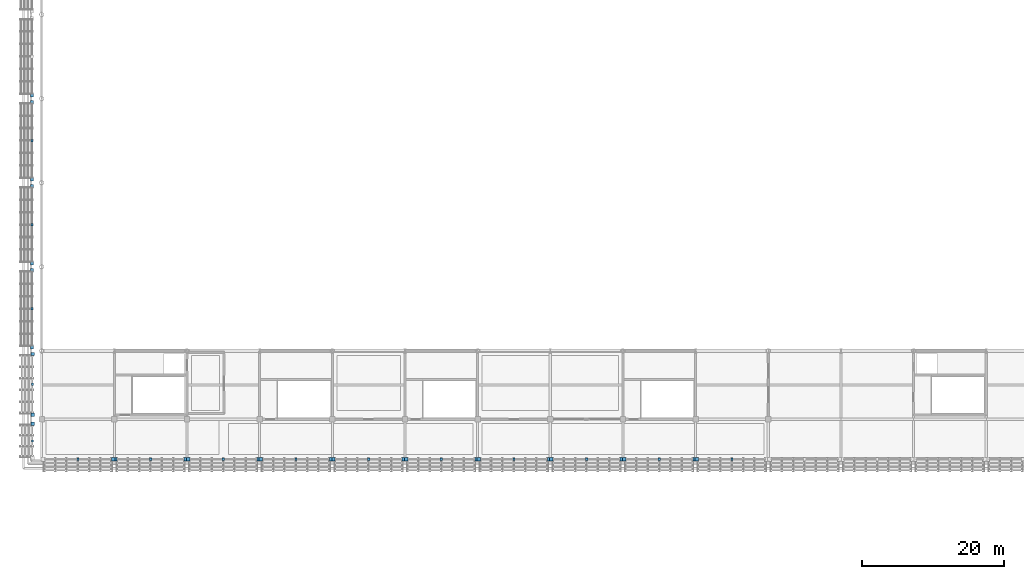
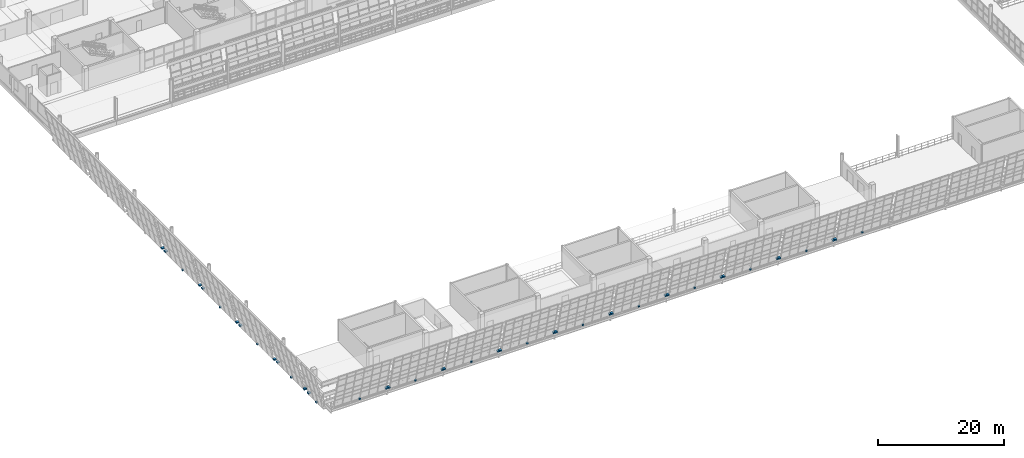
# One storey, part 136 of 157: 43 discrete accessories.
"""IFC4 building model written with IfcOpenShell, lengths in metres."""

from ifc_helpers import new_model, si_unit, direction, frame, origin, origin_2d, place, context, subcontext, project, spatial, rectangle, extrude, material, type_object, element, save


model = new_model("IFC4")

# Units and contexts
model_context = context("Model", 3, precision=1e-05, world=origin(), true_north=direction((0.0, 1.0)))
body_context = subcontext(model_context, "Body", "Model", "MODEL_VIEW")
ifc_project = project(units=[si_unit("LENGTHUNIT", "METRE"), si_unit("AREAUNIT", "SQUARE_METRE"), si_unit("VOLUMEUNIT", "CUBIC_METRE"), si_unit("PLANEANGLEUNIT", "RADIAN"), si_unit("MASSUNIT", "GRAM", prefix="KILO")], contexts=[model_context])

# Site, building, storey
site_placement = place(None, origin())
site = spatial("IfcSite", under=ifc_project, at=site_placement, CompositionType="ELEMENT")
building_placement = place(site_placement, origin())
building = spatial("IfcBuilding", under=site, at=building_placement, Name="Brelvane Convention Centre", CompositionType="ELEMENT")
storey_placement = place(building_placement, frame((0.0, 0.0, 10.800048828125)))
storey = spatial("IfcBuildingStorey", under=building, at=storey_placement, Name="L02", CompositionType="ELEMENT", Elevation=10.800048828125)

# Discrete accessories
ifc_material = material(Name="Steel E350 (350 MPa)", Category="steel")
discrete_accessory_type = type_object("IfcDiscreteAccessoryType", Name="Facade Outrigger Bracket BRK-02", PredefinedType="BRACKET", material=ifc_material)
discrete_accessory_1_placement = place(storey_placement, frame((10.0400390625, 13.60009765625, 0.22998046875), z_axis=(0.0, 0.0, 1.0), x_axis=(1.0, 0.0, 0.0)))
element("IfcDiscreteAccessory", 1, at=discrete_accessory_1_placement, inside=storey, type_object=discrete_accessory_type, Name="Curtain Wall Anchor Bracket L02-HULL-S-L02-01-R", PredefinedType="BRACKET", context=body_context, shape_type="SweptSolid", body=[
    extrude(rectangle(XDim=0.47998046875, YDim=0.47998046875, at=origin_2d()), origin(), (0.0, 0.0, 1.0), 0.239990234375),
])
discrete_accessory_2_placement = place(storey_placement, frame((5.10009765625, 13.60009765625, -0.14013671875), z_axis=(0.0, 0.0, 1.0), x_axis=(1.0, 0.0, 0.0)))
element("IfcDiscreteAccessory", 2, at=discrete_accessory_2_placement, inside=storey, type_object=discrete_accessory_type, Name="Curtain Wall Anchor Bracket L02-HULL-S-L02-01-B", PredefinedType="BRACKET", context=body_context, shape_type="SweptSolid", body=[
    extrude(rectangle(XDim=0.320068359375, YDim=0.320068359375, at=origin_2d()), origin(), (0.0, 0.0, 1.0), 0.280029296875),
])
for number, where, z_axis, x_axis, name in (
    (3, (10.360107421875, 13.60009765625, 0.22998046875), (0.0, 0.0, 1.0), (1.0, 0.0, 0.0), "Curtain Wall Anchor Bracket L02-HULL-S-L02-02-L"),
    (4, (20.239990234375, 13.60009765625, 0.22998046875), (0.0, 0.0, 1.0), (1.0, 0.0, 0.0), "Curtain Wall Anchor Bracket L02-HULL-S-L02-02-R"),
):
    element("IfcDiscreteAccessory", number, at=place(storey_placement, frame(where, z_axis=z_axis, x_axis=x_axis)), inside=storey, type_object=discrete_accessory_type, Name=name, PredefinedType="BRACKET", context=body_context, shape_type="SweptSolid", body=[
        extrude(rectangle(XDim=0.47998046875, YDim=0.47998046875, at=origin_2d()), origin(), (0.0, 0.0, 1.0), 0.239990234375),
    ])
discrete_accessory_3_placement = place(storey_placement, frame((15.300048828125, 13.60009765625, -0.14013671875), z_axis=(0.0, 0.0, 1.0), x_axis=(1.0, 0.0, 0.0)))
element("IfcDiscreteAccessory", 5, at=discrete_accessory_3_placement, inside=storey, type_object=discrete_accessory_type, Name="Curtain Wall Anchor Bracket L02-HULL-S-L02-02-B", PredefinedType="BRACKET", context=body_context, shape_type="SweptSolid", body=[
    extrude(rectangle(XDim=0.320068359375, YDim=0.320068359375, at=origin_2d()), origin(), (0.0, 0.0, 1.0), 0.280029296875),
])
for number, where, z_axis, x_axis, name in (
    (6, (20.56005859375, 13.60009765625, 0.22998046875), (0.0, 0.0, 1.0), (1.0, 0.0, 0.0), "Curtain Wall Anchor Bracket L02-HULL-S-L02-03-L"),
    (7, (30.43994140625, 13.60009765625, 0.22998046875), (0.0, 0.0, 1.0), (1.0, 0.0, 0.0), "Curtain Wall Anchor Bracket L02-HULL-S-L02-03-R"),
):
    element("IfcDiscreteAccessory", number, at=place(storey_placement, frame(where, z_axis=z_axis, x_axis=x_axis)), inside=storey, type_object=discrete_accessory_type, Name=name, PredefinedType="BRACKET", context=body_context, shape_type="SweptSolid", body=[
        extrude(rectangle(XDim=0.47998046875, YDim=0.47998046875, at=origin_2d()), origin(), (0.0, 0.0, 1.0), 0.239990234375),
    ])
discrete_accessory_4_placement = place(storey_placement, frame((25.5, 13.60009765625, -0.14013671875), z_axis=(0.0, 0.0, 1.0), x_axis=(1.0, 0.0, 0.0)))
element("IfcDiscreteAccessory", 8, at=discrete_accessory_4_placement, inside=storey, type_object=discrete_accessory_type, Name="Curtain Wall Anchor Bracket L02-HULL-S-L02-03-B", PredefinedType="BRACKET", context=body_context, shape_type="SweptSolid", body=[
    extrude(rectangle(XDim=0.320068359375, YDim=0.320068359375, at=origin_2d()), origin(), (0.0, 0.0, 1.0), 0.280029296875),
])
for number, where, z_axis, x_axis, name in (
    (9, (30.760009765625, 13.60009765625, 0.22998046875), (0.0, 0.0, 1.0), (1.0, 0.0, 0.0), "Curtain Wall Anchor Bracket L02-HULL-S-L02-04-L"),
    (10, (40.639892578125, 13.60009765625, 0.22998046875), (0.0, 0.0, 1.0), (1.0, 0.0, 0.0), "Curtain Wall Anchor Bracket L02-HULL-S-L02-04-R"),
):
    element("IfcDiscreteAccessory", number, at=place(storey_placement, frame(where, z_axis=z_axis, x_axis=x_axis)), inside=storey, type_object=discrete_accessory_type, Name=name, PredefinedType="BRACKET", context=body_context, shape_type="SweptSolid", body=[
        extrude(rectangle(XDim=0.47998046875, YDim=0.47998046875, at=origin_2d()), origin(), (0.0, 0.0, 1.0), 0.239990234375),
    ])
discrete_accessory_5_placement = place(storey_placement, frame((35.699951171875, 13.60009765625, -0.14013671875), z_axis=(0.0, 0.0, 1.0), x_axis=(1.0, 0.0, 0.0)))
element("IfcDiscreteAccessory", 11, at=discrete_accessory_5_placement, inside=storey, type_object=discrete_accessory_type, Name="Curtain Wall Anchor Bracket L02-HULL-S-L02-04-B", PredefinedType="BRACKET", context=body_context, shape_type="SweptSolid", body=[
    extrude(rectangle(XDim=0.320068359375, YDim=0.320068359375, at=origin_2d()), origin(), (0.0, 0.0, 1.0), 0.280029296875),
])
for number, where, z_axis, x_axis, name in (
    (12, (40.9599609375, 13.60009765625, 0.22998046875), (0.0, 0.0, 1.0), (1.0, 0.0, 0.0), "Curtain Wall Anchor Bracket L02-HULL-S-L02-05-L"),
    (13, (50.840087890625, 13.60009765625, 0.22998046875), (0.0, 0.0, 1.0), (1.0, 0.0, 0.0), "Curtain Wall Anchor Bracket L02-HULL-S-L02-05-R"),
):
    element("IfcDiscreteAccessory", number, at=place(storey_placement, frame(where, z_axis=z_axis, x_axis=x_axis)), inside=storey, type_object=discrete_accessory_type, Name=name, PredefinedType="BRACKET", context=body_context, shape_type="SweptSolid", body=[
        extrude(rectangle(XDim=0.47998046875, YDim=0.47998046875, at=origin_2d()), origin(), (0.0, 0.0, 1.0), 0.239990234375),
    ])
discrete_accessory_6_placement = place(storey_placement, frame((45.89990234375, 13.60009765625, -0.14013671875), z_axis=(0.0, 0.0, 1.0), x_axis=(1.0, 0.0, 0.0)))
element("IfcDiscreteAccessory", 14, at=discrete_accessory_6_placement, inside=storey, type_object=discrete_accessory_type, Name="Curtain Wall Anchor Bracket L02-HULL-S-L02-05-B", PredefinedType="BRACKET", context=body_context, shape_type="SweptSolid", body=[
    extrude(rectangle(XDim=0.320068359375, YDim=0.320068359375, at=origin_2d()), origin(), (0.0, 0.0, 1.0), 0.280029296875),
])
for number, where, z_axis, x_axis, name in (
    (15, (51.159912109375, 13.60009765625, 0.22998046875), (0.0, 0.0, 1.0), (1.0, 0.0, 0.0), "Curtain Wall Anchor Bracket L02-HULL-S-L02-06-L"),
    (16, (61.0400390625, 13.60009765625, 0.22998046875), (0.0, 0.0, 1.0), (1.0, 0.0, 0.0), "Curtain Wall Anchor Bracket L02-HULL-S-L02-06-R"),
):
    element("IfcDiscreteAccessory", number, at=place(storey_placement, frame(where, z_axis=z_axis, x_axis=x_axis)), inside=storey, type_object=discrete_accessory_type, Name=name, PredefinedType="BRACKET", context=body_context, shape_type="SweptSolid", body=[
        extrude(rectangle(XDim=0.47998046875, YDim=0.47998046875, at=origin_2d()), origin(), (0.0, 0.0, 1.0), 0.239990234375),
    ])
discrete_accessory_7_placement = place(storey_placement, frame((56.10009765625, 13.60009765625, -0.14013671875), z_axis=(0.0, 0.0, 1.0), x_axis=(1.0, 0.0, 0.0)))
element("IfcDiscreteAccessory", 17, at=discrete_accessory_7_placement, inside=storey, type_object=discrete_accessory_type, Name="Curtain Wall Anchor Bracket L02-HULL-S-L02-06-B", PredefinedType="BRACKET", context=body_context, shape_type="SweptSolid", body=[
    extrude(rectangle(XDim=0.320068359375, YDim=0.320068359375, at=origin_2d()), origin(), (0.0, 0.0, 1.0), 0.280029296875),
])
for number, where, z_axis, x_axis, name in (
    (18, (61.360107421875, 13.60009765625, 0.22998046875), (0.0, 0.0, 1.0), (1.0, 0.0, 0.0), "Curtain Wall Anchor Bracket L02-HULL-S-L02-07-L"),
    (19, (71.239990234375, 13.60009765625, 0.22998046875), (0.0, 0.0, 1.0), (1.0, 0.0, 0.0), "Curtain Wall Anchor Bracket L02-HULL-S-L02-07-R"),
):
    element("IfcDiscreteAccessory", number, at=place(storey_placement, frame(where, z_axis=z_axis, x_axis=x_axis)), inside=storey, type_object=discrete_accessory_type, Name=name, PredefinedType="BRACKET", context=body_context, shape_type="SweptSolid", body=[
        extrude(rectangle(XDim=0.47998046875, YDim=0.47998046875, at=origin_2d()), origin(), (0.0, 0.0, 1.0), 0.239990234375),
    ])
discrete_accessory_8_placement = place(storey_placement, frame((66.300048828125, 13.60009765625, -0.14013671875), z_axis=(0.0, 0.0, 1.0), x_axis=(1.0, 0.0, 0.0)))
element("IfcDiscreteAccessory", 20, at=discrete_accessory_8_placement, inside=storey, type_object=discrete_accessory_type, Name="Curtain Wall Anchor Bracket L02-HULL-S-L02-07-B", PredefinedType="BRACKET", context=body_context, shape_type="SweptSolid", body=[
    extrude(rectangle(XDim=0.320068359375, YDim=0.320068359375, at=origin_2d()), origin(), (0.0, 0.0, 1.0), 0.280029296875),
])
for number, where, z_axis, x_axis, name in (
    (21, (71.56005859375, 13.60009765625, 0.22998046875), (0.0, 0.0, 1.0), (1.0, 0.0, 0.0), "Curtain Wall Anchor Bracket L02-HULL-S-L02-08-L"),
    (22, (81.43994140625, 13.60009765625, 0.22998046875), (0.0, 0.0, 1.0), (1.0, 0.0, 0.0), "Curtain Wall Anchor Bracket L02-HULL-S-L02-08-R"),
):
    element("IfcDiscreteAccessory", number, at=place(storey_placement, frame(where, z_axis=z_axis, x_axis=x_axis)), inside=storey, type_object=discrete_accessory_type, Name=name, PredefinedType="BRACKET", context=body_context, shape_type="SweptSolid", body=[
        extrude(rectangle(XDim=0.47998046875, YDim=0.47998046875, at=origin_2d()), origin(), (0.0, 0.0, 1.0), 0.239990234375),
    ])
discrete_accessory_9_placement = place(storey_placement, frame((76.5, 13.60009765625, -0.14013671875), z_axis=(0.0, 0.0, 1.0), x_axis=(1.0, 0.0, 0.0)))
element("IfcDiscreteAccessory", 23, at=discrete_accessory_9_placement, inside=storey, type_object=discrete_accessory_type, Name="Curtain Wall Anchor Bracket L02-HULL-S-L02-08-B", PredefinedType="BRACKET", context=body_context, shape_type="SweptSolid", body=[
    extrude(rectangle(XDim=0.320068359375, YDim=0.320068359375, at=origin_2d()), origin(), (0.0, 0.0, 1.0), 0.280029296875),
])
for number, where, z_axis, x_axis, name in (
    (24, (81.760009765625, 13.60009765625, 0.22998046875), (0.0, 0.0, 1.0), (1.0, 0.0, 0.0), "Curtain Wall Anchor Bracket L02-HULL-S-L02-09-L"),
    (25, (91.639892578125, 13.60009765625, 0.22998046875), (0.0, 0.0, 1.0), (1.0, 0.0, 0.0), "Curtain Wall Anchor Bracket L02-HULL-S-L02-09-R"),
):
    element("IfcDiscreteAccessory", number, at=place(storey_placement, frame(where, z_axis=z_axis, x_axis=x_axis)), inside=storey, type_object=discrete_accessory_type, Name=name, PredefinedType="BRACKET", context=body_context, shape_type="SweptSolid", body=[
        extrude(rectangle(XDim=0.47998046875, YDim=0.47998046875, at=origin_2d()), origin(), (0.0, 0.0, 1.0), 0.239990234375),
    ])
discrete_accessory_10_placement = place(storey_placement, frame((86.699951171875, 13.60009765625, -0.14013671875), z_axis=(0.0, 0.0, 1.0), x_axis=(1.0, 0.0, 0.0)))
element("IfcDiscreteAccessory", 26, at=discrete_accessory_10_placement, inside=storey, type_object=discrete_accessory_type, Name="Curtain Wall Anchor Bracket L02-HULL-S-L02-09-B", PredefinedType="BRACKET", context=body_context, shape_type="SweptSolid", body=[
    extrude(rectangle(XDim=0.320068359375, YDim=0.320068359375, at=origin_2d()), origin(), (0.0, 0.0, 1.0), 0.280029296875),
])
discrete_accessory_11_placement = place(storey_placement, frame((91.9599609375, 13.60009765625, 0.22998046875), z_axis=(0.0, 0.0, 1.0), x_axis=(1.0, 0.0, 0.0)))
element("IfcDiscreteAccessory", 27, at=discrete_accessory_11_placement, inside=storey, type_object=discrete_accessory_type, Name="Curtain Wall Anchor Bracket L02-HULL-S-L02-10-L", PredefinedType="BRACKET", context=body_context, shape_type="SweptSolid", body=[
    extrude(rectangle(XDim=0.47998046875, YDim=0.47998046875, at=origin_2d()), origin(), (0.0, 0.0, 1.0), 0.239990234375),
])
discrete_accessory_12_placement = place(storey_placement, frame((96.89990234375, 13.60009765625, -0.14013671875), z_axis=(0.0, 0.0, 1.0), x_axis=(1.0, 0.0, 0.0)))
element("IfcDiscreteAccessory", 28, at=discrete_accessory_12_placement, inside=storey, type_object=discrete_accessory_type, Name="Curtain Wall Anchor Bracket L02-HULL-S-L02-10-B", PredefinedType="BRACKET", context=body_context, shape_type="SweptSolid", body=[
    extrude(rectangle(XDim=0.320068359375, YDim=0.320068359375, at=origin_2d()), origin(), (0.0, 0.0, 1.0), 0.280029296875),
])
discrete_accessory_13_placement = place(storey_placement, frame((-1.280029296875, 18.56005859375, 0.22998046875), z_axis=(0.0, 0.0, 1.0), x_axis=(1.0, 0.0, 0.0)))
element("IfcDiscreteAccessory", 29, at=discrete_accessory_13_placement, inside=storey, type_object=discrete_accessory_type, Name="Curtain Wall Anchor Bracket L02-HULL-W-GAL-L02-A-R", PredefinedType="BRACKET", context=body_context, shape_type="SweptSolid", body=[
    extrude(rectangle(XDim=0.47998046875, YDim=0.47998046875, at=origin_2d()), origin(), (0.0, 0.0, 1.0), 0.239990234375),
])
discrete_accessory_14_placement = place(storey_placement, frame((-1.280029296875, 16.14990234375, -0.14013671875), z_axis=(0.0, 0.0, 1.0), x_axis=(1.0, 0.0, 0.0)))
element("IfcDiscreteAccessory", 30, at=discrete_accessory_14_placement, inside=storey, type_object=discrete_accessory_type, Name="Curtain Wall Anchor Bracket L02-HULL-W-GAL-L02-A-B", PredefinedType="BRACKET", context=body_context, shape_type="SweptSolid", body=[
    extrude(rectangle(XDim=0.320068359375, YDim=0.320068359375, at=origin_2d()), origin(), (0.0, 0.0, 1.0), 0.280029296875),
])
for number, where, z_axis, x_axis, name in (
    (31, (-1.280029296875, 19.840087890625, 0.22998046875), (0.0, 0.0, 1.0), (1.0, 0.0, 0.0), "Curtain Wall Anchor Bracket L02-HULL-W-GAL-L02-B-L"),
    (32, (-1.280029296875, 28.360107421875, 0.22998046875), (0.0, 0.0, 1.0), (1.0, 0.0, 0.0), "Curtain Wall Anchor Bracket L02-HULL-W-GAL-L02-B-R"),
):
    element("IfcDiscreteAccessory", number, at=place(storey_placement, frame(where, z_axis=z_axis, x_axis=x_axis)), inside=storey, type_object=discrete_accessory_type, Name=name, PredefinedType="BRACKET", context=body_context, shape_type="SweptSolid", body=[
        extrude(rectangle(XDim=0.47998046875, YDim=0.47998046875, at=origin_2d()), origin(), (0.0, 0.0, 1.0), 0.239990234375),
    ])
discrete_accessory_15_placement = place(storey_placement, frame((-1.280029296875, 24.10009765625, -0.14013671875), z_axis=(0.0, 0.0, 1.0), x_axis=(1.0, 0.0, 0.0)))
element("IfcDiscreteAccessory", 33, at=discrete_accessory_15_placement, inside=storey, type_object=discrete_accessory_type, Name="Curtain Wall Anchor Bracket L02-HULL-W-GAL-L02-B-B", PredefinedType="BRACKET", context=body_context, shape_type="SweptSolid", body=[
    extrude(rectangle(XDim=0.320068359375, YDim=0.320068359375, at=origin_2d()), origin(), (0.0, 0.0, 1.0), 0.280029296875),
])
for number, where, z_axis, x_axis, name in (
    (34, (-1.360107421875, 29.2900390625, 0.22998046875), (0.0, 0.0, 1.0), (1.0, 0.0, 0.0), "Curtain Wall Anchor Bracket L02-HULL-W-L02-1-L"),
    (35, (-1.360107421875, 40.110107421875, 0.22998046875), (0.0, 0.0, 1.0), (1.0, 0.0, 0.0), "Curtain Wall Anchor Bracket L02-HULL-W-L02-1-R"),
):
    element("IfcDiscreteAccessory", number, at=place(storey_placement, frame(where, z_axis=z_axis, x_axis=x_axis)), inside=storey, type_object=discrete_accessory_type, Name=name, PredefinedType="BRACKET", context=body_context, shape_type="SweptSolid", body=[
        extrude(rectangle(XDim=0.47998046875, YDim=0.47998046875, at=origin_2d()), origin(), (0.0, 0.0, 1.0), 0.239990234375),
    ])
discrete_accessory_16_placement = place(storey_placement, frame((-1.360107421875, 34.699951171875, -0.14013671875), z_axis=(0.0, 0.0, 1.0), x_axis=(1.0, 0.0, 0.0)))
element("IfcDiscreteAccessory", 36, at=discrete_accessory_16_placement, inside=storey, type_object=discrete_accessory_type, Name="Curtain Wall Anchor Bracket L02-HULL-W-L02-1-B", PredefinedType="BRACKET", context=body_context, shape_type="SweptSolid", body=[
    extrude(rectangle(XDim=0.320068359375, YDim=0.320068359375, at=origin_2d()), origin(), (0.0, 0.0, 1.0), 0.280029296875),
])
for number, where, z_axis, x_axis, name in (
    (37, (-1.360107421875, 41.090087890625, 0.22998046875), (0.0, 0.0, 1.0), (1.0, 0.0, 0.0), "Curtain Wall Anchor Bracket L02-HULL-W-L02-2-L"),
    (38, (-1.360107421875, 51.909912109375, 0.22998046875), (0.0, 0.0, 1.0), (1.0, 0.0, 0.0), "Curtain Wall Anchor Bracket L02-HULL-W-L02-2-R"),
):
    element("IfcDiscreteAccessory", number, at=place(storey_placement, frame(where, z_axis=z_axis, x_axis=x_axis)), inside=storey, type_object=discrete_accessory_type, Name=name, PredefinedType="BRACKET", context=body_context, shape_type="SweptSolid", body=[
        extrude(rectangle(XDim=0.47998046875, YDim=0.47998046875, at=origin_2d()), origin(), (0.0, 0.0, 1.0), 0.239990234375),
    ])
discrete_accessory_17_placement = place(storey_placement, frame((-1.360107421875, 46.5, -0.14013671875), z_axis=(0.0, 0.0, 1.0), x_axis=(1.0, 0.0, 0.0)))
element("IfcDiscreteAccessory", 39, at=discrete_accessory_17_placement, inside=storey, type_object=discrete_accessory_type, Name="Curtain Wall Anchor Bracket L02-HULL-W-L02-2-B", PredefinedType="BRACKET", context=body_context, shape_type="SweptSolid", body=[
    extrude(rectangle(XDim=0.320068359375, YDim=0.320068359375, at=origin_2d()), origin(), (0.0, 0.0, 1.0), 0.280029296875),
])
for number, where, z_axis, x_axis, name in (
    (40, (-1.360107421875, 52.889892578125, 0.22998046875), (0.0, 0.0, 1.0), (1.0, 0.0, 0.0), "Curtain Wall Anchor Bracket L02-HULL-W-L02-3-L"),
    (41, (-1.360107421875, 63.7099609375, 0.22998046875), (0.0, 0.0, 1.0), (1.0, 0.0, 0.0), "Curtain Wall Anchor Bracket L02-HULL-W-L02-3-R"),
):
    element("IfcDiscreteAccessory", number, at=place(storey_placement, frame(where, z_axis=z_axis, x_axis=x_axis)), inside=storey, type_object=discrete_accessory_type, Name=name, PredefinedType="BRACKET", context=body_context, shape_type="SweptSolid", body=[
        extrude(rectangle(XDim=0.47998046875, YDim=0.47998046875, at=origin_2d()), origin(), (0.0, 0.0, 1.0), 0.239990234375),
    ])
discrete_accessory_18_placement = place(storey_placement, frame((-1.360107421875, 58.300048828125, -0.14013671875), z_axis=(0.0, 0.0, 1.0), x_axis=(1.0, 0.0, 0.0)))
element("IfcDiscreteAccessory", 42, at=discrete_accessory_18_placement, inside=storey, type_object=discrete_accessory_type, Name="Curtain Wall Anchor Bracket L02-HULL-W-L02-3-B", PredefinedType="BRACKET", context=body_context, shape_type="SweptSolid", body=[
    extrude(rectangle(XDim=0.320068359375, YDim=0.320068359375, at=origin_2d()), origin(), (0.0, 0.0, 1.0), 0.280029296875),
])
discrete_accessory_19_placement = place(storey_placement, frame((-1.360107421875, 64.68994140625, 0.22998046875), z_axis=(0.0, 0.0, 1.0), x_axis=(1.0, 0.0, 0.0)))
element("IfcDiscreteAccessory", 43, at=discrete_accessory_19_placement, inside=storey, type_object=discrete_accessory_type, Name="Curtain Wall Anchor Bracket L02-HULL-W-L02-4-L", PredefinedType="BRACKET", context=body_context, shape_type="SweptSolid", body=[
    extrude(rectangle(XDim=0.47998046875, YDim=0.47998046875, at=origin_2d()), origin(), (0.0, 0.0, 1.0), 0.239990234375),
])

save(model, "model.ifc")
